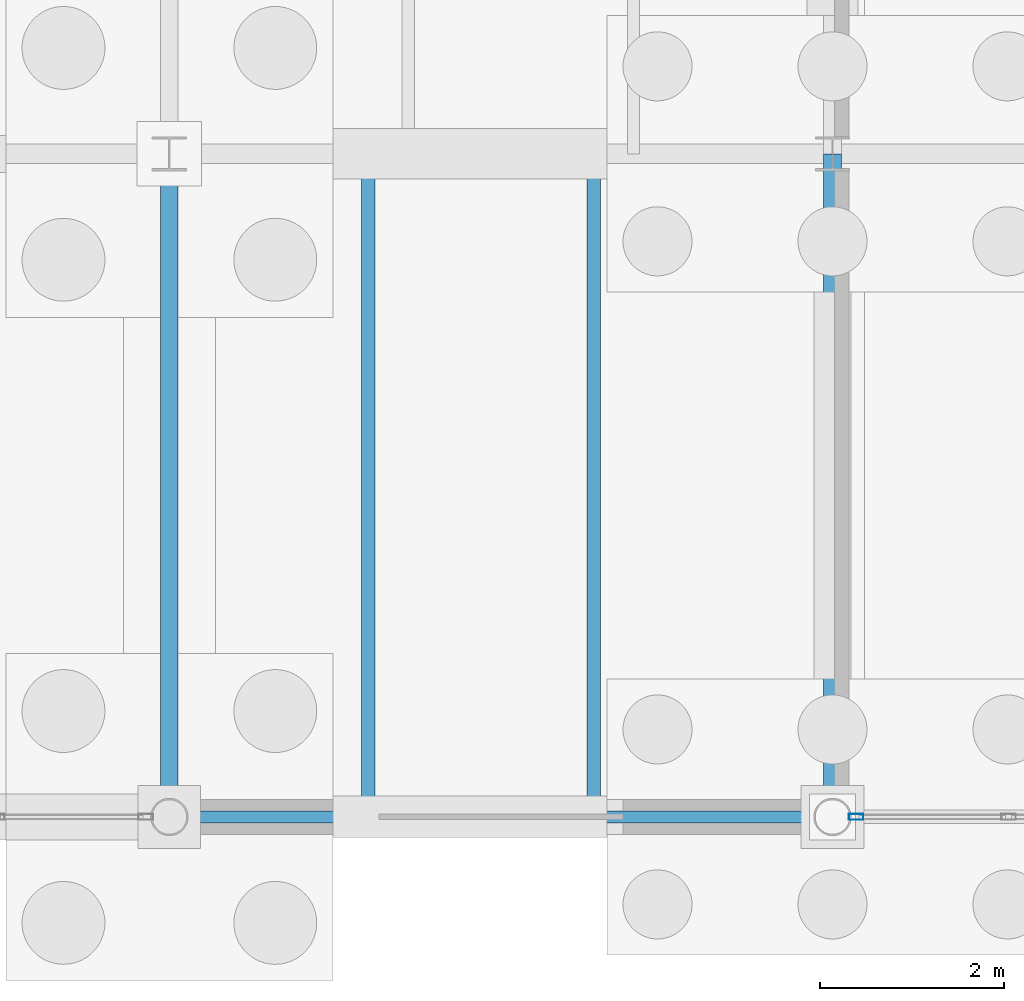
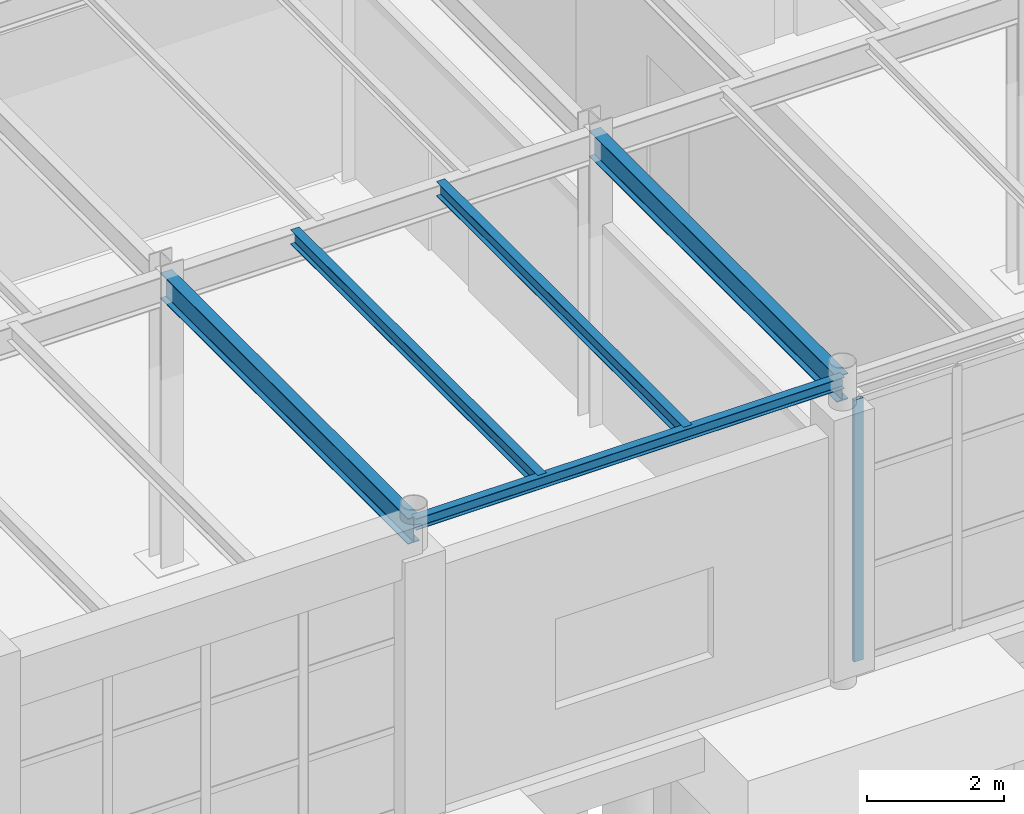
# One storey, part 40 of 293: 5 beams, 1 member, 1 element without a shape of its own.
"""IFC4 building model written with IfcOpenShell, lengths in metres."""

import ifcopenshell
import ifcopenshell.guid

model = None  # the IFC model being written
_history = None  # IfcOwnerHistory: only IFC2X3 demands one
_inside = {}  # id of a spatial element -> (the spatial element, [elements in it])
_under = {}  # id of a project, library or spatial element -> (it, [spatial elements below it])
_declared = {}  # id of a project -> (the project, [libraries it declares])
_typed = {}  # id of a type object -> (the type object, [elements of that type])
_made_of = {}  # id of a material, layer set ... -> (it, [elements and type objects made of it])


def new_model(schema):
    """Start an empty IFC model of exactly this schema.

    Asked for "IFC4X3", IfcOpenShell would pick the latest addendum, in which some entities
    have other attributes; the version numbers below select the first issue.
    IFC2X3 requires an IfcOwnerHistory on every rooted entity: one is made here for all.
    """
    global model, _history
    if schema == "IFC4X3":
        model = ifcopenshell.file(schema_version=(4, 3, 0, 0))
    else:
        model = ifcopenshell.file(schema=schema)
    _inside.clear()
    _under.clear()
    _declared.clear()
    _typed.clear()
    _made_of.clear()
    _history = None
    if model.schema == "IFC2X3":
        org = make("IfcOrganization", Name="unknown")
        user = make(
            "IfcPersonAndOrganization",
            ThePerson=make("IfcPerson", FamilyName="unknown"),
            TheOrganization=org,
        )
        app = make(
            "IfcApplication",
            ApplicationDeveloper=org,
            Version="unknown",
            ApplicationFullName="unknown",
            ApplicationIdentifier="unknown",
        )
        _history = make(
            "IfcOwnerHistory",
            OwningUser=user,
            OwningApplication=app,
            ChangeAction="ADDED",
            CreationDate=0,
        )
    return model


def make(cls, **values):
    """One entity of the class cls with the attributes given. An attribute that is None is left unset."""
    return model.create_entity(
        cls, **{name: value for name, value in values.items() if value is not None}
    )


def rooted(cls, **values):
    """An entity with a GlobalId (a new one), such as an element, a storey or a relation."""
    return make(cls, GlobalId=ifcopenshell.guid.new(), OwnerHistory=_history, **values)


def si_unit(unit_type, name, prefix=None):
    """IfcSIUnit, for example si_unit("LENGTHUNIT", "METRE", prefix="MILLI")."""
    return make("IfcSIUnit", UnitType=unit_type, Prefix=prefix, Name=name)


def assignment(units):
    """IfcUnitAssignment: the units of a project."""
    return None if units is None else make("IfcUnitAssignment", Units=units)


def point(xyz):
    """IfcCartesianPoint."""
    return None if xyz is None else make("IfcCartesianPoint", Coordinates=xyz)


def direction(xyz):
    """IfcDirection."""
    return None if xyz is None else make("IfcDirection", DirectionRatios=xyz)


def frame(location, z_axis=None, x_axis=None):
    """IfcAxis2Placement3D, a coordinate frame: its origin and axes. An axis left out is left unset."""
    return make(
        "IfcAxis2Placement3D",
        Location=point(location),
        Axis=direction(z_axis),
        RefDirection=direction(x_axis),
    )


def frame_2d(location, x_axis=None):
    """IfcAxis2Placement2D, a coordinate frame in the plane: its origin and x axis."""
    return make(
        "IfcAxis2Placement2D", Location=point(location), RefDirection=direction(x_axis)
    )


def origin():
    """The frame at (0, 0, 0) with its axes left unset."""
    return frame((0.0, 0.0, 0.0))


def origin_2d():
    """The frame at (0, 0) in the plane with its x axis left unset."""
    return frame_2d((0.0, 0.0))


def place(relative_to, where):
    """IfcLocalPlacement: puts the frame where relative to a parent placement (None: the world)."""
    return make(
        "IfcLocalPlacement", PlacementRelTo=relative_to, RelativePlacement=where
    )


def context(
    kind, dimensions, precision=None, world=None, true_north=None, identifier=None
):
    """IfcGeometricRepresentationContext, for example the 3D "Model" context."""
    return make(
        "IfcGeometricRepresentationContext",
        ContextIdentifier=identifier,
        ContextType=kind,
        CoordinateSpaceDimension=dimensions,
        Precision=precision,
        WorldCoordinateSystem=world,
        TrueNorth=true_north,
    )


def subcontext(parent, identifier, kind, view, scale=None):
    """IfcGeometricRepresentationSubContext, for example "Body" below "Model"."""
    return make(
        "IfcGeometricRepresentationSubContext",
        ContextIdentifier=identifier,
        ContextType=kind,
        ParentContext=parent,
        TargetScale=scale,
        TargetView=view,
    )


def project(units=None, contexts=None):
    """IfcProject with its units and contexts."""
    return rooted(
        "IfcProject",
        Name="project",
        RepresentationContexts=contexts,
        UnitsInContext=assignment(units),
    )


def spatial(cls, under=None, at=None, **own):
    """A site, building, storey or space (cls), placed at a placement, below another one or the project."""
    s = rooted(cls, ObjectPlacement=at, **own)
    if under is not None:
        _under.setdefault(under.id(), (under, []))[1].append(s)
    return s


def profile(cls, at=None, kind="AREA", **sizes):
    """A parametric profile (cls). Its sizes go by their IFC names, for example OverallWidth=200.0."""
    return make(cls, ProfileType=kind, Position=at, **sizes)


def hollow_rectangle(**sizes):
    """IfcRectangleHollowProfileDef."""
    return profile("IfcRectangleHollowProfileDef", **sizes)


def i_section(**sizes):
    """IfcIShapeProfileDef."""
    return profile("IfcIShapeProfileDef", **sizes)


def extrude(swept, where, along, depth):
    """IfcExtrudedAreaSolid: the profile swept, set in the frame where, extruded along a direction by depth."""
    return make(
        "IfcExtrudedAreaSolid",
        SweptArea=swept,
        Position=where,
        ExtrudedDirection=direction(along),
        Depth=depth,
    )


def shape(context_of_items, identifier, shape_type, items):
    """IfcShapeRepresentation: the items that make up one representation, for example the "Body"."""
    return make(
        "IfcShapeRepresentation",
        ContextOfItems=context_of_items,
        RepresentationIdentifier=identifier,
        RepresentationType=shape_type,
        Items=items,
    )


def material(Name=None, Category=None):
    """IfcMaterial."""
    return make("IfcMaterial", Name=Name, Category=Category)


def layer(
    of_material, thickness, ventilated=None, Name=None, Category=None, Priority=None
):
    """IfcMaterialLayer: one layer of a wall or slab, of a material (None: an air gap)."""
    return make(
        "IfcMaterialLayer",
        Material=of_material,
        LayerThickness=thickness,
        IsVentilated=ventilated,
        Name=Name,
        Category=Category,
        Priority=Priority,
    )


def layer_set(layers, Name=None):
    """IfcMaterialLayerSet."""
    return make("IfcMaterialLayerSet", MaterialLayers=layers, LayerSetName=Name)


def material_profile(
    of_material, cross_section, Name=None, Category=None, Priority=None
):
    """IfcMaterialProfile: a cross section and its material."""
    return make(
        "IfcMaterialProfile",
        Name=Name,
        Material=of_material,
        Profile=cross_section,
        Priority=Priority,
        Category=Category,
    )


def profile_set(profiles, Name=None, composite=None):
    """IfcMaterialProfileSet."""
    return make(
        "IfcMaterialProfileSet",
        Name=Name,
        MaterialProfiles=profiles,
        CompositeProfile=composite,
    )


def made_of(thing, what):
    """Note that an element or type object is made of a material, layer set ...; save() writes the relation."""
    if what is not None:
        _made_of.setdefault(what.id(), (what, []))[1].append(thing)
    return thing


def type_object(cls, material=None, **own):
    """A type object (cls), such as IfcWallType, which elements share."""
    return made_of(rooted(cls, **own), material)


def element(
    cls,
    number,
    at=None,
    inside=None,
    cuts=None,
    type_object=None,
    material=None,
    context=None,
    identifier="Body",
    shape_type=None,
    held_by="IfcProductDefinitionShape",
    body=None,
    shapes=None,
    **own,
):
    """One element of the class cls, such as IfcWall. Its Tag is "e" and its number.

    at: its placement. inside: the storey or other place that contains it. cuts: it is an
    opening in that element (IfcRelVoidsElement). A single representation is given by context,
    identifier, shape_type and body (its items); several are given by shapes. held_by: the class
    of the entity that holds the representations. save() writes the other relations.
    """
    e = rooted(cls, Tag="e%d" % number, ObjectPlacement=at, **own)
    if body is not None:
        shapes = [shape(context, identifier, shape_type, body)]
    if shapes is not None:
        e.Representation = make(held_by, Representations=shapes)
    if inside is not None:
        _inside.setdefault(inside.id(), (inside, []))[1].append(e)
    if cuts is not None:
        rooted(
            "IfcRelVoidsElement", RelatingBuildingElement=cuts, RelatedOpeningElement=e
        )
    if type_object is not None:
        _typed.setdefault(type_object.id(), (type_object, []))[1].append(e)
    return made_of(e, material)


def aggregate(whole, parts):
    """IfcRelAggregates: a whole, such as a stair, and the parts it consists of."""
    return rooted("IfcRelAggregates", RelatingObject=whole, RelatedObjects=parts)


def save(model, path):
    """Write the relations noted so far, then the file.

    IfcRelAggregates (storeys below a building ...), IfcRelContainedInSpatialStructure (elements
    in a storey), IfcRelDefinesByType, IfcRelAssociatesMaterial and IfcRelDeclares: one each for
    every whole, place, type object, material and project.
    """
    for whole, parts in _under.values():
        aggregate(whole, parts)
    for where, things in _inside.values():
        rooted(
            "IfcRelContainedInSpatialStructure",
            RelatedElements=things,
            RelatingStructure=where,
        )
    for kind, things in _typed.values():
        rooted("IfcRelDefinesByType", RelatedObjects=things, RelatingType=kind)
    for what, things in _made_of.values():
        rooted("IfcRelAssociatesMaterial", RelatedObjects=things, RelatingMaterial=what)
    for by, libraries in _declared.values():
        rooted("IfcRelDeclares", RelatingContext=by, RelatedDefinitions=libraries)
    model.write(path)


model = new_model("IFC4")

# Units and contexts
model_context = context("Model", 3, precision=1e-05, world=origin(), true_north=direction((0.0, 1.0)))
body_context = subcontext(model_context, "Body", "Model", "MODEL_VIEW")
ifc_project = project(units=[si_unit("LENGTHUNIT", "METRE"), si_unit("AREAUNIT", "SQUARE_METRE"), si_unit("VOLUMEUNIT", "CUBIC_METRE"), si_unit("PLANEANGLEUNIT", "RADIAN"), si_unit("MASSUNIT", "GRAM", prefix="KILO")], contexts=[model_context])

# Site, building, storey
site_placement = place(None, origin())
site = spatial("IfcSite", under=ifc_project, at=site_placement, CompositionType="ELEMENT")
building_placement = place(site_placement, origin())
building = spatial("IfcBuilding", under=site, at=building_placement, Name="Kemerveld Promenade Tramway Depot", CompositionType="ELEMENT")
storey_placement = place(building_placement, origin())
storey = spatial("IfcBuildingStorey", under=building, at=storey_placement, Name="L00", CompositionType="ELEMENT", Elevation=0.0)

# Beams
ifc_material_1 = material(Name="Steel S355", Category="steel")
ifc_material_profile_1 = material_profile(ifc_material_1, i_section(OverallWidth=0.19140625, OverallDepth=0.4599609375, WebThickness=0.010009765625, FlangeThickness=0.01611328125, FilletRadius=0.01025390625, at=origin_2d()), Name="457x191x82 UB")
ifc_profile_set_1 = profile_set([ifc_material_profile_1], Name="Steel S355")
beam_type_1 = type_object("IfcBeamType", Name="BM-G06", PredefinedType="BEAM", material=ifc_profile_set_1)
for number, where, z_axis, x_axis, name in (
    (1, (7.199951171875, 0.0, 4.919921875), (0.0, 1.0, 0.0), (-1.0, 0.0, 0.0), "BMY-L00-02-A-B"),
    (2, (14.39990234375, 0.0, 4.919921875), (0.0, 1.0, 0.0), (-1.0, 0.0, 0.0), "BMY-L00-03-A-B"),
):
    element("IfcBeam", number, at=place(storey_placement, frame(where, z_axis=z_axis, x_axis=x_axis)), inside=storey, type_object=beam_type_1, Name=name, PredefinedType="BEAM", context=body_context, shape_type="SweptSolid", body=[
        extrude(i_section(OverallWidth=0.19140625, OverallDepth=0.4599609375, WebThickness=0.010009765625, FlangeThickness=0.01611328125, FilletRadius=0.01025390625, at=origin_2d()), origin(), (0.0, 0.0, 1.0), 7.199951171875),
    ])
ifc_material_profile_2 = material_profile(ifc_material_1, i_section(OverallWidth=0.13330078125, OverallDepth=0.203125, WebThickness=0.005615234375, FlangeThickness=0.0078125, FilletRadius=0.007568359375, at=origin_2d()), Name="203x133x25 UB")
ifc_profile_set_2 = profile_set([ifc_material_profile_2], Name="Steel S355")
beam_type_2 = type_object("IfcBeamType", Name="BM-G14", PredefinedType="BEAM", material=ifc_profile_set_2)
beam_placement = place(storey_placement, frame((7.199951171875, 0.0, 5.04833984375), z_axis=(1.0, 0.0, 0.0), x_axis=(0.0, 1.0, 0.0)))
element("IfcBeam", 3, at=beam_placement, inside=storey, type_object=beam_type_2, Name="BMX-L00-02-03-A", PredefinedType="BEAM", context=body_context, shape_type="SweptSolid", body=[
    extrude(i_section(OverallWidth=0.13330078125, OverallDepth=0.203125, WebThickness=0.005615234375, FlangeThickness=0.0078125, FilletRadius=0.007568359375, at=origin_2d()), origin(), (0.0, 0.0, 1.0), 7.199951171875),
])
ifc_material_profile_3 = material_profile(ifc_material_1, i_section(OverallWidth=0.146484375, OverallDepth=0.256103515625, WebThickness=0.00634765625, FlangeThickness=0.010986328125, FilletRadius=0.007568359375, at=origin_2d()), Name="254x146x37 UB")
ifc_profile_set_3 = profile_set([ifc_material_profile_3], Name="Steel S355")
beam_type_3 = type_object("IfcBeamType", Name="BM-J02", PredefinedType="JOIST", material=ifc_profile_set_3)
for number, where, z_axis, x_axis, name in (
    (4, (9.360107421875, 0.0, 5.02197265625), (0.0, 1.0, 0.0), (-1.0, 0.0, 0.0), "JST-L00-02-A-1"),
    (5, (11.80810546875, 0.0, 5.02197265625), (0.0, 1.0, 0.0), (-1.0, 0.0, 0.0), "JST-L00-02-A-2"),
):
    element("IfcBeam", number, at=place(storey_placement, frame(where, z_axis=z_axis, x_axis=x_axis)), inside=storey, type_object=beam_type_3, Name=name, PredefinedType="JOIST", context=body_context, shape_type="SweptSolid", body=[
        extrude(i_section(OverallWidth=0.146484375, OverallDepth=0.256103515625, WebThickness=0.00634765625, FlangeThickness=0.010986328125, FilletRadius=0.007568359375, at=origin_2d()), origin(), (0.0, 0.0, 1.0), 7.199951171875),
    ])

# Curtain wall, member
ifc_material_2 = material(Name="Bronze anodised aluminium and solar glass", Category="aluminium")
ifc_layer = layer(ifc_material_2, 0.159912109375)
ifc_layer_set = layer_set([ifc_layer], Name="CW-SYS-09")
curtain_wall_type = type_object("IfcCurtainWallType", Name="CW-SYS-09", PredefinedType="USERDEFINED", material=ifc_layer_set)
curtain_wall_placement = place(storey_placement, origin())
curtain_wall = element("IfcCurtainWall", 6, at=curtain_wall_placement, inside=storey, type_object=curtain_wall_type, Name="CW-L00-V5S-06", ObjectType="GLAZED_CURTAIN_WALL", PredefinedType="USERDEFINED")
ifc_material_3 = material(Name="Bronze anodised aluminium", Category="aluminium")
ifc_material_profile_4 = material_profile(ifc_material_3, hollow_rectangle(XDim=0.06494140625, YDim=0.159912109375, WallThickness=0.00390625, InnerFilletRadius=0.001953125, OuterFilletRadius=0.00390625, at=origin_2d()), Name="CW-MUL-160x65")
ifc_profile_set_4 = profile_set([ifc_material_profile_4], Name="Bronze anodised aluminium")
member_type = type_object("IfcMemberType", Name="CW-MUL-A", PredefinedType="MULLION", material=ifc_profile_set_4)
member_placement = place(storey_placement, frame((14.65576171875, 0.0, 0.0), z_axis=(0.0, 0.0, 1.0), x_axis=(0.0, -1.0, 0.0)))
member = element("IfcMember", 7, at=member_placement, type_object=member_type, Name="CW09 mullion 5", PredefinedType="MULLION", context=body_context, shape_type="SweptSolid", body=[
    extrude(hollow_rectangle(XDim=0.06494140625, YDim=0.159912109375, WallThickness=0.00390625, InnerFilletRadius=0.001953125, OuterFilletRadius=0.00390625, at=origin_2d()), origin(), (0.0, 0.0, 1.0), 4.64990234375),
])
aggregate(curtain_wall, [member])

save(model, "model.ifc")
